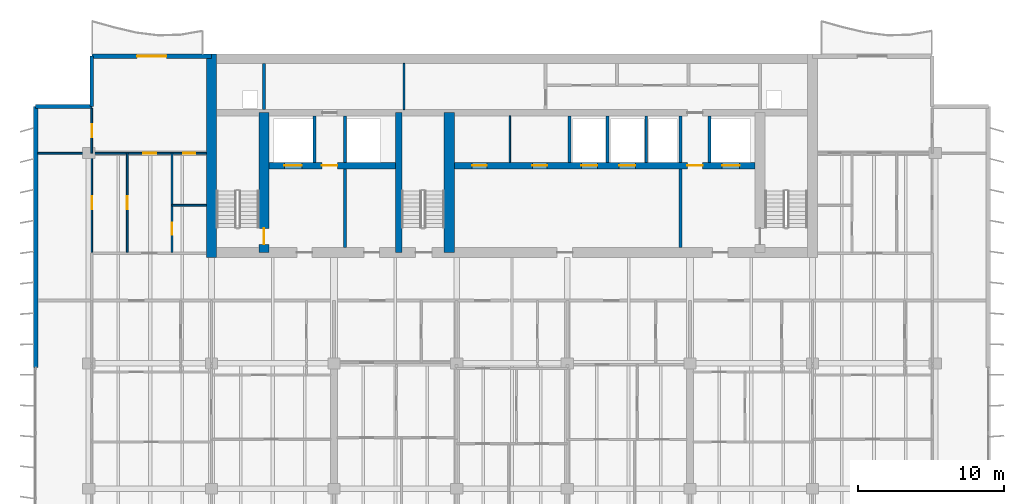
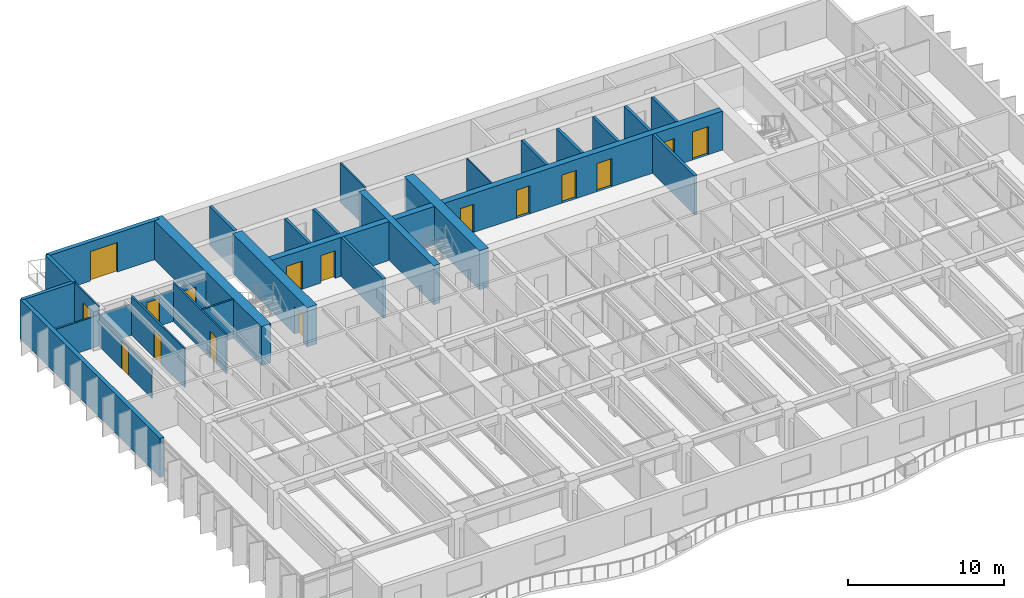
# One storey, part 13 of 19: 27 walls, 16 doors, 16 openings.
"""IFC4 building model written with IfcOpenShell, lengths in metres."""

from ifc_helpers import new_model, si_unit, direction, frame, frame_2d, origin, place, context, subcontext, project, spatial, rectangle, extrude, material, layer, layer_set, type_object, element, fill, save


model = new_model("IFC4")

# Units and contexts
model_context = context("Model", 3, precision=1e-05, world=origin(), true_north=direction((0.0, 1.0)))
body_context = subcontext(model_context, "Body", "Model", "MODEL_VIEW")
ifc_project = project(units=[si_unit("LENGTHUNIT", "METRE"), si_unit("AREAUNIT", "SQUARE_METRE"), si_unit("VOLUMEUNIT", "CUBIC_METRE"), si_unit("PLANEANGLEUNIT", "RADIAN"), si_unit("MASSUNIT", "GRAM", prefix="KILO")], contexts=[model_context])

# Site, building, storey
site_placement = place(None, origin())
site = spatial("IfcSite", under=ifc_project, at=site_placement, CompositionType="ELEMENT")
building_placement = place(site_placement, origin())
building = spatial("IfcBuilding", under=site, at=building_placement, Name="Caelmar Bay Residences", CompositionType="ELEMENT")
storey_placement = place(building_placement, frame((0.0, 0.0, 163.800048828125)))
storey = spatial("IfcBuildingStorey", under=building, at=storey_placement, Name="L45", CompositionType="ELEMENT", Elevation=163.800048828125)

# Wall
ifc_material_1 = material(Name="Concrete f'c 55 MPa (8,000 psi)", Category="concrete")
ifc_layer_1 = layer(ifc_material_1, 0.699951171875)
ifc_layer_set_1 = layer_set([ifc_layer_1], Name="Concrete f'c 55 MPa (8,000 psi)")
wall_type_1 = type_object("IfcWallType", Name="SW-COR-700", PredefinedType="SHEAR", material=ifc_layer_set_1)
wall_1_placement = place(storey_placement, frame((18.300048828125, 36.64990234375, 0.0), z_axis=(0.0, 0.0, 1.0), x_axis=(0.0, 1.0, 0.0)))
element("IfcWall", 1, at=wall_1_placement, inside=storey, type_object=wall_type_1, Name="L45 Rear Core West Shear Wall", PredefinedType="SHEAR", context=body_context, shape_type="SweptSolid", body=[
    extrude(rectangle(XDim=13.9501953125, YDim=0.699951171875, at=frame_2d((6.97509765625, 0.0))), origin(), (0.0, 0.0, 1.0), 3.050048828125),
])

# Wall, opening, door
wall_2_placement = place(storey_placement, frame((21.89990234375, 37.0, 0.0), z_axis=(0.0, 0.0, 1.0), x_axis=(0.0, 1.0, 0.0)))
wall_2 = element("IfcWall", 2, at=wall_2_placement, inside=storey, type_object=wall_type_1, Name="L45 Core Structural Web Wall ST1E", PredefinedType="SHEAR", context=body_context, shape_type="SweptSolid", body=[
    extrude(rectangle(XDim=9.574951171875, YDim=0.699951171875, at=frame_2d((4.78759765625, 0.0))), origin(), (0.0, 0.0, 1.0), 3.050048828125),
])
opening_1_placement = place(wall_2_placement, frame((0.550048828125, 0.0, 0.0)))
opening_1 = element("IfcOpeningElement", 3, at=opening_1_placement, cuts=wall_2, Name="Opening D-L45-107", PredefinedType="OPENING", context=body_context, shape_type="SweptSolid", body=[
    extrude(rectangle(XDim=1.10009765625, YDim=2.14990234375, at=frame_2d((0.550048828125, 1.074951171875))), frame((0.0, 0.35986328125, 0.0), z_axis=(0.0, -1.0, 0.0), x_axis=(1.0, 0.0, 0.0)), (0.0, 0.0, 1.0), 0.719970703125),
])
ifc_material_2 = material(Name="Fire-rated steel and walnut architectural door assembly", Category="steel")
ifc_layer_2 = layer(ifc_material_2, 0.050048828125)
ifc_layer_set_2 = layer_set([ifc_layer_2], Name="Fire-rated steel and walnut architectural door assembly")
door_type_1 = type_object("IfcDoorType", Name="D-STAIR-1100", OperationType="NOTDEFINED", PredefinedType="DOOR", material=ifc_layer_set_2)
door_1_placement = place(opening_1_placement, origin())
door_1 = element("IfcDoor", 4, at=door_1_placement, inside=storey, type_object=door_type_1, Name="L45 Firefighting Lobby West Door", OperationType="SINGLE_SWING_LEFT", OverallHeight=2.14990234375, OverallWidth=1.10009765625, PredefinedType="DOOR", context=body_context, shape_type="SweptSolid", body=[
    extrude(rectangle(XDim=1.10009765625, YDim=2.14990234375, at=frame_2d((0.550048828125, 1.074951171875))), frame((0.0, 0.02490234375, 0.0), z_axis=(0.0, -1.0, 0.0), x_axis=(1.0, 0.0, 0.0)), (0.0, 0.0, 1.0), 0.050048828125),
])
fill(opening_1, door_1)

# Walls
wall_3_placement = place(storey_placement, frame((34.60009765625, 37.0, 0.0), z_axis=(0.0, 0.0, 1.0), x_axis=(0.0, 1.0, 0.0)))
element("IfcWall", 5, at=wall_3_placement, inside=storey, type_object=wall_type_1, Name="L45 Core Structural Web Wall ST3E", PredefinedType="SHEAR", context=body_context, shape_type="SweptSolid", body=[
    extrude(rectangle(XDim=9.574951171875, YDim=0.699951171875, at=frame_2d((4.78759765625, 0.0))), origin(), (0.0, 0.0, 1.0), 3.050048828125),
])
ifc_material_3 = material(Name="Concrete f'c 70 MPa (10,000 psi)", Category="concrete")
ifc_layer_3 = layer(ifc_material_3, 0.449951171875)
ifc_layer_set_3 = layer_set([ifc_layer_3], Name="Concrete f'c 70 MPa (10,000 psi)")
wall_type_2 = type_object("IfcWallType", Name="SW-WEB-450", PredefinedType="SHEAR", material=ifc_layer_set_3)
wall_4_placement = place(storey_placement, frame((31.125, 37.0, 0.0), z_axis=(0.0, 0.0, 1.0), x_axis=(0.0, 1.0, 0.0)))
element("IfcWall", 6, at=wall_4_placement, inside=storey, type_object=wall_type_2, Name="L45 Core Structural Web Wall ST3W", PredefinedType="SHEAR", context=body_context, shape_type="SweptSolid", body=[
    extrude(rectangle(XDim=9.574951171875, YDim=0.449951171875, at=frame_2d((4.78759765625, 0.0))), origin(), (0.0, 0.0, 1.0), 3.050048828125),
])

# Wall, openings, doors
wall_5_placement = place(storey_placement, frame((22.25, 42.949951171875, 0.0), z_axis=(0.0, 0.0, 1.0), x_axis=(1.0, 0.0, 0.0)))
wall_5 = element("IfcWall", 7, at=wall_5_placement, inside=storey, type_object=wall_type_2, Name="L45 Core Structural Web Wall LFR", PredefinedType="SHEAR", context=body_context, shape_type="SweptSolid", body=[
    extrude(rectangle(XDim=33.300048828125, YDim=0.449951171875, at=frame_2d((16.64990234375, 0.0))), origin(), (0.0, 0.0, 1.0), 3.050048828125),
])
opening_2_placement = place(wall_5_placement, frame((1.050048828125, 0.0, 0.0)))
opening_2 = element("IfcOpeningElement", 8, at=opening_2_placement, cuts=wall_5, Name="Opening LD2", PredefinedType="OPENING", context=body_context, shape_type="SweptSolid", body=[
    extrude(rectangle(XDim=1.199951171875, YDim=2.199951171875, at=frame_2d((0.60009765625, 1.10009765625))), frame((0.0, 0.23486328125, 0.0), z_axis=(0.0, -1.0, 0.0), x_axis=(1.0, 0.0, 0.0)), (0.0, 0.0, 1.0), 0.469970703125),
])
opening_3_placement = place(wall_5_placement, frame((31.050048828125, 0.0, 0.0)))
opening_3 = element("IfcOpeningElement", 9, at=opening_3_placement, cuts=wall_5, Name="Opening LD2", PredefinedType="OPENING", context=body_context, shape_type="SweptSolid", body=[
    extrude(rectangle(XDim=1.199951171875, YDim=2.199951171875, at=frame_2d((0.60009765625, 1.10009765625))), frame((0.0, 0.23486328125, 0.0), z_axis=(0.0, -1.0, 0.0), x_axis=(1.0, 0.0, 0.0)), (0.0, 0.0, 1.0), 0.469970703125),
])
opening_4_placement = place(wall_5_placement, frame((21.39990234375, 0.0, 0.0)))
opening_4 = element("IfcOpeningElement", 10, at=opening_4_placement, cuts=wall_5, Name="Opening LD1", PredefinedType="OPENING", context=body_context, shape_type="SweptSolid", body=[
    extrude(rectangle(XDim=1.10009765625, YDim=2.199951171875, at=frame_2d((0.550048828125, 1.10009765625))), frame((0.0, 0.23486328125, 0.0), z_axis=(0.0, -1.0, 0.0), x_axis=(1.0, 0.0, 0.0)), (0.0, 0.0, 1.0), 0.469970703125),
])
opening_5_placement = place(wall_5_placement, frame((24.0, 0.0, 0.0)))
opening_5 = element("IfcOpeningElement", 11, at=opening_5_placement, cuts=wall_5, Name="Opening LD1", PredefinedType="OPENING", context=body_context, shape_type="SweptSolid", body=[
    extrude(rectangle(XDim=1.10009765625, YDim=2.199951171875, at=frame_2d((0.550048828125, 1.10009765625))), frame((0.0, 0.23486328125, 0.0), z_axis=(0.0, -1.0, 0.0), x_axis=(1.0, 0.0, 0.0)), (0.0, 0.0, 1.0), 0.469970703125),
])
opening_6_placement = place(wall_5_placement, frame((3.625, 0.0, 0.0)))
opening_6 = element("IfcOpeningElement", 12, at=opening_6_placement, cuts=wall_5, Name="Opening D-L45-108", PredefinedType="OPENING", context=body_context, shape_type="SweptSolid", body=[
    extrude(rectangle(XDim=1.050048828125, YDim=2.14990234375, at=frame_2d((0.52490234375, 1.074951171875))), frame((0.0, 0.23486328125, 0.0), z_axis=(0.0, -1.0, 0.0), x_axis=(1.0, 0.0, 0.0)), (0.0, 0.0, 1.0), 0.469970703125),
])
opening_7_placement = place(wall_5_placement, frame((28.675048828125, 0.0, 0.0)))
opening_7 = element("IfcOpeningElement", 13, at=opening_7_placement, cuts=wall_5, Name="Opening D-L45-111", PredefinedType="OPENING", context=body_context, shape_type="SweptSolid", body=[
    extrude(rectangle(XDim=1.050048828125, YDim=2.14990234375, at=frame_2d((0.52490234375, 1.074951171875))), frame((0.0, 0.23486328125, 0.0), z_axis=(0.0, -1.0, 0.0), x_axis=(1.0, 0.0, 0.0)), (0.0, 0.0, 1.0), 0.469970703125),
])
opening_8_placement = place(wall_5_placement, frame((13.925048828125, 0.0, 0.0)))
opening_8 = element("IfcOpeningElement", 14, at=opening_8_placement, cuts=wall_5, Name="Opening D-L45-114", PredefinedType="OPENING", context=body_context, shape_type="SweptSolid", body=[
    extrude(rectangle(XDim=1.0, YDim=2.199951171875, at=frame_2d((0.5, 1.10009765625))), frame((0.0, 0.23486328125, 0.0), z_axis=(0.0, -1.0, 0.0), x_axis=(1.0, 0.0, 0.0)), (0.0, 0.0, 1.0), 0.469970703125),
])
opening_9_placement = place(wall_5_placement, frame((18.050048828125, 0.0, 0.0)))
opening_9 = element("IfcOpeningElement", 15, at=opening_9_placement, cuts=wall_5, Name="Opening D-L45-115", PredefinedType="OPENING", context=body_context, shape_type="SweptSolid", body=[
    extrude(rectangle(XDim=1.0, YDim=2.199951171875, at=frame_2d((0.5, 1.10009765625))), frame((0.0, 0.23486328125, 0.0), z_axis=(0.0, -1.0, 0.0), x_axis=(1.0, 0.0, 0.0)), (0.0, 0.0, 1.0), 0.469970703125),
])
ifc_layer_4 = layer(ifc_material_2, 0.050048828125)
ifc_layer_set_4 = layer_set([ifc_layer_4], Name="Fire-rated steel and walnut architectural door assembly")
door_type_2 = type_object("IfcDoorType", Name="D-FSAE-1050", OperationType="NOTDEFINED", PredefinedType="DOOR", material=ifc_layer_set_4)
door_2_placement = place(opening_6_placement, origin())
door_2 = element("IfcDoor", 16, at=door_2_placement, inside=storey, type_object=door_type_2, Name="L45 Firefighting Lobby West Door", OperationType="SINGLE_SWING_RIGHT", OverallHeight=2.14990234375, OverallWidth=1.050048828125, PredefinedType="DOOR", context=body_context, shape_type="SweptSolid", body=[
    extrude(rectangle(XDim=1.050048828125, YDim=2.14990234375, at=frame_2d((0.52490234375, 1.074951171875))), frame((0.0, 0.02490234375, 0.0), z_axis=(0.0, -1.0, 0.0), x_axis=(1.0, 0.0, 0.0)), (0.0, 0.0, 1.0), 0.050048828125),
])
fill(opening_6, door_2)
door_3_placement = place(opening_7_placement, origin())
door_3 = element("IfcDoor", 17, at=door_3_placement, inside=storey, type_object=door_type_2, Name="L45 Firefighting Lobby East Door", OperationType="SINGLE_SWING_LEFT", OverallHeight=2.14990234375, OverallWidth=1.050048828125, PredefinedType="DOOR", context=body_context, shape_type="SweptSolid", body=[
    extrude(rectangle(XDim=1.050048828125, YDim=2.14990234375, at=frame_2d((0.52490234375, 1.074951171875))), frame((0.0, 0.02490234375, 0.0), z_axis=(0.0, -1.0, 0.0), x_axis=(1.0, 0.0, 0.0)), (0.0, 0.0, 1.0), 0.050048828125),
])
fill(opening_7, door_3)
ifc_material_4 = material(Name="Brushed bronze stainless-steel fire-rated lift landing doors", Category="steel")
ifc_layer_5 = layer(ifc_material_4, 0.050048828125)
ifc_layer_set_5 = layer_set([ifc_layer_5], Name="Brushed bronze stainless-steel fire-rated lift landing doors")
door_type_3 = type_object("IfcDoorType", Name="D-LND-1100", OperationType="DOUBLE_DOOR_SLIDING", PredefinedType="DOOR", material=ifc_layer_set_5)
door_4_placement = place(opening_4_placement, origin())
door_4 = element("IfcDoor", 18, at=door_4_placement, inside=storey, type_object=door_type_3, Name="L45 LP4 Sliding Landing Door", OperationType="DOUBLE_DOOR_SLIDING", OverallHeight=2.199951171875, OverallWidth=1.10009765625, PredefinedType="DOOR", context=body_context, shape_type="SweptSolid", body=[
    extrude(rectangle(XDim=1.10009765625, YDim=2.199951171875, at=frame_2d((0.550048828125, 1.10009765625))), frame((0.0, 0.02490234375, 0.0), z_axis=(0.0, -1.0, 0.0), x_axis=(1.0, 0.0, 0.0)), (0.0, 0.0, 1.0), 0.050048828125),
])
fill(opening_4, door_4)
door_5_placement = place(opening_5_placement, origin())
door_5 = element("IfcDoor", 19, at=door_5_placement, inside=storey, type_object=door_type_3, Name="L45 LP5 Sliding Landing Door", OperationType="DOUBLE_DOOR_SLIDING", OverallHeight=2.199951171875, OverallWidth=1.10009765625, PredefinedType="DOOR", context=body_context, shape_type="SweptSolid", body=[
    extrude(rectangle(XDim=1.10009765625, YDim=2.199951171875, at=frame_2d((0.550048828125, 1.10009765625))), frame((0.0, 0.02490234375, 0.0), z_axis=(0.0, -1.0, 0.0), x_axis=(1.0, 0.0, 0.0)), (0.0, 0.0, 1.0), 0.050048828125),
])
fill(opening_5, door_5)
ifc_material_5 = material(Name="Brushed stainless-steel FSAE sliding landing door", Category="steel")
ifc_layer_6 = layer(ifc_material_5, 0.050048828125)
ifc_layer_set_6 = layer_set([ifc_layer_6], Name="Brushed stainless-steel FSAE sliding landing door")
door_type_4 = type_object("IfcDoorType", Name="D-LND-1200", OperationType="DOUBLE_DOOR_SLIDING", PredefinedType="DOOR", material=ifc_layer_set_6)
door_6_placement = place(opening_2_placement, origin())
door_6 = element("IfcDoor", 20, at=door_6_placement, inside=storey, type_object=door_type_4, Name="L45 LF1 Sliding Landing Door", OperationType="DOUBLE_DOOR_SLIDING", OverallHeight=2.199951171875, OverallWidth=1.199951171875, PredefinedType="DOOR", context=body_context, shape_type="SweptSolid", body=[
    extrude(rectangle(XDim=1.199951171875, YDim=2.199951171875, at=frame_2d((0.60009765625, 1.10009765625))), frame((0.0, 0.02490234375, 0.0), z_axis=(0.0, -1.0, 0.0), x_axis=(1.0, 0.0, 0.0)), (0.0, 0.0, 1.0), 0.050048828125),
])
fill(opening_2, door_6)
door_7_placement = place(opening_3_placement, origin())
door_7 = element("IfcDoor", 21, at=door_7_placement, inside=storey, type_object=door_type_4, Name="L45 LF2 Sliding Landing Door", OperationType="DOUBLE_DOOR_SLIDING", OverallHeight=2.199951171875, OverallWidth=1.199951171875, PredefinedType="DOOR", context=body_context, shape_type="SweptSolid", body=[
    extrude(rectangle(XDim=1.199951171875, YDim=2.199951171875, at=frame_2d((0.60009765625, 1.10009765625))), frame((0.0, 0.02490234375, 0.0), z_axis=(0.0, -1.0, 0.0), x_axis=(1.0, 0.0, 0.0)), (0.0, 0.0, 1.0), 0.050048828125),
])
fill(opening_3, door_7)
ifc_layer_7 = layer(ifc_material_2, 0.050048828125)
ifc_layer_set_7 = layer_set([ifc_layer_7], Name="Fire-rated steel and walnut architectural door assembly")
door_type_5 = type_object("IfcDoorType", Name="D-UNIT-1000", OperationType="NOTDEFINED", PredefinedType="DOOR", material=ifc_layer_set_7)
door_8_placement = place(opening_8_placement, origin())
door_8 = element("IfcDoor", 22, at=door_8_placement, inside=storey, type_object=door_type_5, Name="L45 Residents Study Room Door", OperationType="SINGLE_SWING_RIGHT", OverallHeight=2.199951171875, OverallWidth=1.0, PredefinedType="DOOR", context=body_context, shape_type="SweptSolid", body=[
    extrude(rectangle(XDim=1.0, YDim=2.199951171875, at=frame_2d((0.5, 1.10009765625))), frame((0.0, 0.02490234375, 0.0), z_axis=(0.0, -1.0, 0.0), x_axis=(1.0, 0.0, 0.0)), (0.0, 0.0, 1.0), 0.050048828125),
])
fill(opening_8, door_8)
door_9_placement = place(opening_9_placement, origin())
door_9 = element("IfcDoor", 23, at=door_9_placement, inside=storey, type_object=door_type_5, Name="L45 Wine Tasting Room Door", OperationType="SINGLE_SWING_LEFT", OverallHeight=2.199951171875, OverallWidth=1.0, PredefinedType="DOOR", context=body_context, shape_type="SweptSolid", body=[
    extrude(rectangle(XDim=1.0, YDim=2.199951171875, at=frame_2d((0.5, 1.10009765625))), frame((0.0, 0.02490234375, 0.0), z_axis=(0.0, -1.0, 0.0), x_axis=(1.0, 0.0, 0.0)), (0.0, 0.0, 1.0), 0.050048828125),
])
fill(opening_9, door_9)

# Walls
ifc_material_6 = material(Name="Precast concrete f'c 40 MPa (6,000 psi)", Category="concrete")
ifc_layer_8 = layer(ifc_material_6, 0.25)
ifc_layer_set_8 = layer_set([ifc_layer_8], Name="Precast concrete f'c 40 MPa (6,000 psi)")
wall_type_3 = type_object("IfcWallType", Name="W-EXT-250", PredefinedType="ELEMENTEDWALL", material=ifc_layer_set_8)
wall_6_placement = place(storey_placement, frame((6.25, 47.0, 0.0), z_axis=(0.0, 0.0, 1.0), x_axis=(1.0, 0.0, 0.0)))
element("IfcWall", 24, at=wall_6_placement, inside=storey, type_object=wall_type_3, Name="L45 NNW-H Notch Wall", PredefinedType="ELEMENTEDWALL", context=body_context, shape_type="SweptSolid", body=[
    extrude(rectangle(XDim=3.85009765625, YDim=0.25, at=frame_2d((1.925048828125, 0.0))), origin(), (0.0, 0.0, 1.0), 3.050048828125),
])
wall_7_placement = place(storey_placement, frame((10.10009765625, 47.0, 0.0), z_axis=(0.0, 0.0, 1.0), x_axis=(0.0, 1.0, 0.0)))
element("IfcWall", 25, at=wall_7_placement, inside=storey, type_object=wall_type_3, Name="L45 NNW-V Notch Wall", PredefinedType="ELEMENTEDWALL", context=body_context, shape_type="SweptSolid", body=[
    extrude(rectangle(XDim=3.449951171875, YDim=0.25, at=frame_2d((1.72509765625, 0.0))), origin(), (0.0, 0.0, 1.0), 3.050048828125),
])
ifc_layer_9 = layer(ifc_material_6, 0.300048828125)
ifc_layer_set_9 = layer_set([ifc_layer_9], Name="Precast concrete f'c 40 MPa (6,000 psi)")
wall_type_4 = type_object("IfcWallType", Name="W-EXT-300", PredefinedType="STANDARD", material=ifc_layer_set_9)
wall_8_placement = place(storey_placement, frame((6.25, 29.10009765625, 0.0), z_axis=(0.0, 0.0, 1.0), x_axis=(0.0, 1.0, 0.0)))
element("IfcWall", 26, at=wall_8_placement, inside=storey, type_object=wall_type_4, Name="L45 West Rear Exterior Wall", PredefinedType="STANDARD", context=body_context, shape_type="SweptSolid", body=[
    extrude(rectangle(XDim=17.89990234375, YDim=0.300048828125, at=frame_2d((8.949951171875, 0.0))), origin(), (0.0, 0.0, 1.0), 3.050048828125),
])

# Wall, opening, door
wall_9_placement = place(storey_placement, frame((10.10009765625, 50.449951171875, 0.0), z_axis=(0.0, 0.0, 1.0), x_axis=(1.0, 0.0, 0.0)))
wall_9 = element("IfcWall", 27, at=wall_9_placement, inside=storey, type_object=wall_type_4, Name="L45 North-West Wing Exterior Wall", PredefinedType="STANDARD", context=body_context, shape_type="SweptSolid", body=[
    extrude(rectangle(XDim=8.199951171875, YDim=0.300048828125, at=frame_2d((4.10009765625, 0.0))), origin(), (0.0, 0.0, 1.0), 3.050048828125),
])
opening_10_placement = place(wall_9_placement, frame((3.10009765625, 0.0, 0.0)))
opening_10 = element("IfcOpeningElement", 28, at=opening_10_placement, cuts=wall_9, Name="Opening L45-BDNW", PredefinedType="OPENING", context=body_context, shape_type="SweptSolid", body=[
    extrude(rectangle(XDim=2.0, YDim=2.300048828125, at=frame_2d((1.0, 1.14990234375))), frame((0.0, 0.159912109375, 0.0), z_axis=(0.0, -1.0, 0.0), x_axis=(1.0, 0.0, 0.0)), (0.0, 0.0, 1.0), 0.320068359375),
])
ifc_material_7 = material(Name="Anodised bronze thermally broken sliding glass door", Category="glass")
ifc_layer_10 = layer(ifc_material_7, 0.050048828125)
ifc_layer_set_10 = layer_set([ifc_layer_10], Name="Anodised bronze thermally broken sliding glass door")
door_type_6 = type_object("IfcDoorType", Name="D-BAL-2000", OperationType="DOUBLE_DOOR_SLIDING", PredefinedType="DOOR", material=ifc_layer_set_10)
door_10_placement = place(opening_10_placement, origin())
door_10 = element("IfcDoor", 29, at=door_10_placement, inside=storey, type_object=door_type_6, Name="L45 North-West Balcony Door", OperationType="DOUBLE_DOOR_SLIDING", OverallHeight=2.300048828125, OverallWidth=2.0, PredefinedType="DOOR", context=body_context, shape_type="SweptSolid", body=[
    extrude(rectangle(XDim=2.0, YDim=2.300048828125, at=frame_2d((1.0, 1.14990234375))), frame((0.0, 0.02490234375, 0.0), z_axis=(0.0, -1.0, 0.0), x_axis=(1.0, 0.0, 0.0)), (0.0, 0.0, 1.0), 0.050048828125),
])
fill(opening_10, door_10)

# Walls
ifc_material_8 = material(Name="Fire-rated masonry and gypsum shaftliner assembly 200 mm", Category="masonry")
ifc_layer_11 = layer(ifc_material_8, 0.199951171875)
ifc_layer_set_11 = layer_set([ifc_layer_11], Name="Fire-rated masonry and gypsum shaftliner assembly 200 mm")
wall_type_5 = type_object("IfcWallType", Name="W-FSAE-200", PredefinedType="PARTITIONING", material=ifc_layer_set_11)
wall_10_placement = place(storey_placement, frame((21.89990234375, 46.794921875, 0.0), z_axis=(0.0, 0.0, 1.0), x_axis=(0.0, 1.0, 0.0)))
element("IfcWall", 30, at=wall_10_placement, inside=storey, type_object=wall_type_5, Name="L45 Partition Wall V018", PredefinedType="PARTITIONING", context=body_context, shape_type="SweptSolid", body=[
    extrude(rectangle(XDim=3.16015625, YDim=0.199951171875, at=frame_2d((1.580078125, 0.0))), origin(), (0.0, 0.0, 1.0), 3.050048828125),
])
wall_11_placement = place(storey_placement, frame((25.35009765625, 43.169921875, 0.0), z_axis=(0.0, 0.0, 1.0), x_axis=(0.0, 1.0, 0.0)))
element("IfcWall", 31, at=wall_11_placement, inside=storey, type_object=wall_type_5, Name="L45 Partition Wall V022", PredefinedType="PARTITIONING", context=body_context, shape_type="SweptSolid", body=[
    extrude(rectangle(XDim=3.18505859375, YDim=0.199951171875, at=frame_2d((1.592529296875, 0.0))), origin(), (0.0, 0.0, 1.0), 3.050048828125),
])
wall_12_placement = place(storey_placement, frame((27.449951171875, 37.344970703125, 0.0), z_axis=(0.0, 0.0, 1.0), x_axis=(0.0, 1.0, 0.0)))
element("IfcWall", 32, at=wall_12_placement, inside=storey, type_object=wall_type_5, Name="L45 Partition Wall V026", PredefinedType="PARTITIONING", context=body_context, shape_type="SweptSolid", body=[
    extrude(rectangle(XDim=5.385009765625, YDim=0.199951171875, at=frame_2d((2.6923828125, 0.0))), origin(), (0.0, 0.0, 1.0), 3.050048828125),
])
for number, where, z_axis, x_axis, name in (
    (33, (27.449951171875, 43.169921875, 0.0), (0.0, 0.0, 1.0), (0.0, 1.0, 0.0), "L45 Partition Wall V027"),
    (34, (42.85009765625, 43.169921875, 0.0), (0.0, 0.0, 1.0), (0.0, 1.0, 0.0), "L45 Partition Wall V053"),
    (35, (45.449951171875, 43.169921875, 0.0), (0.0, 0.0, 1.0), (0.0, 1.0, 0.0), "L45 Partition Wall V054"),
    (36, (48.10009765625, 43.169921875, 0.0), (0.0, 0.0, 1.0), (0.0, 1.0, 0.0), "L45 Partition Wall V060"),
):
    element("IfcWall", number, at=place(storey_placement, frame(where, z_axis=z_axis, x_axis=x_axis)), inside=storey, type_object=wall_type_5, Name=name, PredefinedType="PARTITIONING", context=body_context, shape_type="SweptSolid", body=[
        extrude(rectangle(XDim=3.18505859375, YDim=0.199951171875, at=frame_2d((1.592529296875, 0.0))), origin(), (0.0, 0.0, 1.0), 3.050048828125),
    ])
wall_13_placement = place(storey_placement, frame((50.449951171875, 37.344970703125, 0.0), z_axis=(0.0, 0.0, 1.0), x_axis=(0.0, 1.0, 0.0)))
element("IfcWall", 37, at=wall_13_placement, inside=storey, type_object=wall_type_5, Name="L45 Partition Wall V062", PredefinedType="PARTITIONING", context=body_context, shape_type="SweptSolid", body=[
    extrude(rectangle(XDim=5.385009765625, YDim=0.199951171875, at=frame_2d((2.6923828125, 0.0))), origin(), (0.0, 0.0, 1.0), 3.050048828125),
])
for number, where, z_axis, x_axis, name in (
    (38, (50.449951171875, 43.169921875, 0.0), (0.0, 0.0, 1.0), (0.0, 1.0, 0.0), "L45 Partition Wall V063"),
    (39, (52.449951171875, 43.169921875, 0.0), (0.0, 0.0, 1.0), (0.0, 1.0, 0.0), "L45 Partition Wall V068"),
):
    element("IfcWall", number, at=place(storey_placement, frame(where, z_axis=z_axis, x_axis=x_axis)), inside=storey, type_object=wall_type_5, Name=name, PredefinedType="PARTITIONING", context=body_context, shape_type="SweptSolid", body=[
        extrude(rectangle(XDim=3.18505859375, YDim=0.199951171875, at=frame_2d((1.592529296875, 0.0))), origin(), (0.0, 0.0, 1.0), 3.050048828125),
    ])

# Wall, opening, door
ifc_material_9 = material(Name="Anodised bronze framed acoustic sliding study partition 100 mm")
ifc_layer_12 = layer(ifc_material_9, 0.10009765625)
ifc_layer_set_12 = layer_set([ifc_layer_12], Name="Anodised bronze framed acoustic sliding study partition 100 mm")
wall_type_6 = type_object("IfcWallType", Name="W-MOV-100", PredefinedType="MOVABLE", material=ifc_layer_set_12)
wall_14_placement = place(storey_placement, frame((10.10009765625, 37.0, 0.0), z_axis=(0.0, 0.0, 1.0), x_axis=(0.0, 1.0, 0.0)))
wall_14 = element("IfcWall", 40, at=wall_14_placement, inside=storey, type_object=wall_type_6, Name="L45 Partition Wall V006", PredefinedType="MOVABLE", context=body_context, shape_type="SweptSolid", body=[
    extrude(rectangle(XDim=6.800048828125, YDim=0.10009765625, at=frame_2d((3.39990234375, 0.0))), origin(), (0.0, 0.0, 1.0), 2.262939453125),
])
opening_11_placement = place(wall_14_placement, frame((2.949951171875, 0.0, 0.0)))
opening_11 = element("IfcOpeningElement", 41, at=opening_11_placement, cuts=wall_14, Name="Opening D-L45-169", PredefinedType="OPENING", context=body_context, shape_type="SweptSolid", body=[
    extrude(rectangle(XDim=0.89990234375, YDim=2.14990234375, at=frame_2d((0.449951171875, 1.074951171875))), frame((0.0, 0.06005859375, 0.0), z_axis=(0.0, -1.0, 0.0), x_axis=(1.0, 0.0, 0.0)), (0.0, 0.0, 1.0), 0.1201171875),
])
ifc_material_10 = material(Name="Solid walnut timber interior door leaf and frame", Category="wood")
ifc_layer_13 = layer(ifc_material_10, 0.050048828125)
ifc_layer_set_13 = layer_set([ifc_layer_13], Name="Solid walnut timber interior door leaf and frame")
door_type_7 = type_object("IfcDoorType", Name="D-ROOM-900", OperationType="NOTDEFINED", PredefinedType="DOOR", material=ifc_layer_set_13)
door_11_placement = place(opening_11_placement, origin())
door_11 = element("IfcDoor", 42, at=door_11_placement, inside=storey, type_object=door_type_7, Name="L45 Residence WA Sun Study Door", OperationType="SINGLE_SWING_LEFT", OverallHeight=2.14990234375, OverallWidth=0.89990234375, PredefinedType="DOOR", context=body_context, shape_type="SweptSolid", body=[
    extrude(rectangle(XDim=0.89990234375, YDim=2.14990234375, at=frame_2d((0.449951171875, 1.074951171875))), frame((0.0, 0.02490234375, 0.0), z_axis=(0.0, -1.0, 0.0), x_axis=(1.0, 0.0, 0.0)), (0.0, 0.0, 1.0), 0.050048828125),
])
fill(opening_11, door_11)

# Wall
wall_15_placement = place(storey_placement, frame((38.75, 43.169921875, 0.0), z_axis=(0.0, 0.0, 1.0), x_axis=(0.0, 1.0, 0.0)))
element("IfcWall", 43, at=wall_15_placement, inside=storey, type_object=wall_type_6, Name="L45 Partition Wall V042", PredefinedType="MOVABLE", context=body_context, shape_type="SweptSolid", body=[
    extrude(rectangle(XDim=3.18505859375, YDim=0.10009765625, at=frame_2d((1.592529296875, 0.0))), origin(), (0.0, 0.0, 1.0), 3.050048828125),
])

# Wall, opening, door
ifc_material_11 = material(Name="Acoustic metal-stud gypsum partition 120 mm")
ifc_layer_14 = layer(ifc_material_11, 0.1201171875)
ifc_layer_set_14 = layer_set([ifc_layer_14], Name="Acoustic metal-stud gypsum partition 120 mm")
wall_type_7 = type_object("IfcWallType", Name="W-PRT-120", PredefinedType="PARTITIONING", material=ifc_layer_set_14)
wall_16_placement = place(storey_placement, frame((10.10009765625, 43.804931640625, 0.0), z_axis=(0.0, 0.0, 1.0), x_axis=(0.0, 1.0, 0.0)))
wall_16 = element("IfcWall", 44, at=wall_16_placement, inside=storey, type_object=wall_type_7, Name="L45 Partition Wall V007", PredefinedType="PARTITIONING", context=body_context, shape_type="SweptSolid", body=[
    extrude(rectangle(XDim=3.074951171875, YDim=0.1201171875, at=frame_2d((1.53759765625, 0.0))), origin(), (0.0, 0.0, 1.0), 3.050048828125),
])
opening_12_placement = place(wall_16_placement, frame((1.08740234375, 0.0, 0.0)))
opening_12 = element("IfcOpeningElement", 45, at=opening_12_placement, cuts=wall_16, Name="Opening D-L45-170", PredefinedType="OPENING", context=body_context, shape_type="SweptSolid", body=[
    extrude(rectangle(XDim=0.89990234375, YDim=2.14990234375, at=frame_2d((0.449951171875, 1.074951171875))), frame((0.0, 0.070068359375, 0.0), z_axis=(0.0, -1.0, 0.0), x_axis=(1.0, 0.0, 0.0)), (0.0, 0.0, 1.0), 0.14013671875),
])
door_12_placement = place(opening_12_placement, origin())
door_12 = element("IfcDoor", 46, at=door_12_placement, inside=storey, type_object=door_type_7, Name="L45 Residence WA North Sitting Alcove Door", OperationType="SINGLE_SWING_RIGHT", OverallHeight=2.14990234375, OverallWidth=0.89990234375, PredefinedType="DOOR", context=body_context, shape_type="SweptSolid", body=[
    extrude(rectangle(XDim=0.89990234375, YDim=2.14990234375, at=frame_2d((0.449951171875, 1.074951171875))), frame((0.0, 0.02490234375, 0.0), z_axis=(0.0, -1.0, 0.0), x_axis=(1.0, 0.0, 0.0)), (0.0, 0.0, 1.0), 0.050048828125),
])
fill(opening_12, door_12)

wall_17_placement = place(storey_placement, frame((12.52001953125, 37.0, 0.0), z_axis=(0.0, 0.0, 1.0), x_axis=(0.0, 1.0, 0.0)))
wall_17 = element("IfcWall", 47, at=wall_17_placement, inside=storey, type_object=wall_type_7, Name="L45 Partition Wall V008", PredefinedType="PARTITIONING", context=body_context, shape_type="SweptSolid", body=[
    extrude(rectangle(XDim=6.800048828125, YDim=0.1201171875, at=frame_2d((3.39990234375, 0.0))), origin(), (0.0, 0.0, 1.0), 3.050048828125),
])
opening_13_placement = place(wall_17_placement, frame((2.949951171875, 0.0, 0.0)))
opening_13 = element("IfcOpeningElement", 48, at=opening_13_placement, cuts=wall_17, Name="Opening D-L45-164", PredefinedType="OPENING", context=body_context, shape_type="SweptSolid", body=[
    extrude(rectangle(XDim=0.89990234375, YDim=2.14990234375, at=frame_2d((0.449951171875, 1.074951171875))), frame((0.0, 0.070068359375, 0.0), z_axis=(0.0, -1.0, 0.0), x_axis=(1.0, 0.0, 0.0)), (0.0, 0.0, 1.0), 0.14013671875),
])
door_13_placement = place(opening_13_placement, origin())
door_13 = element("IfcDoor", 49, at=door_13_placement, inside=storey, type_object=door_type_7, Name="L45 Residence WA Dining Room Door", OperationType="SINGLE_SWING_RIGHT", OverallHeight=2.14990234375, OverallWidth=0.89990234375, PredefinedType="DOOR", context=body_context, shape_type="SweptSolid", body=[
    extrude(rectangle(XDim=0.89990234375, YDim=2.14990234375, at=frame_2d((0.449951171875, 1.074951171875))), frame((0.0, 0.02490234375, 0.0), z_axis=(0.0, -1.0, 0.0), x_axis=(1.0, 0.0, 0.0)), (0.0, 0.0, 1.0), 0.050048828125),
])
fill(opening_13, door_13)

wall_18_placement = place(storey_placement, frame((15.60009765625, 37.0, 0.0), z_axis=(0.0, 0.0, 1.0), x_axis=(0.0, 1.0, 0.0)))
wall_18 = element("IfcWall", 50, at=wall_18_placement, inside=storey, type_object=wall_type_7, Name="L45 Partition Wall V009", PredefinedType="PARTITIONING", context=body_context, shape_type="SweptSolid", body=[
    extrude(rectangle(XDim=6.800048828125, YDim=0.1201171875, at=frame_2d((3.39990234375, 0.0))), origin(), (0.0, 0.0, 1.0), 3.050048828125),
])
opening_14_placement = place(wall_18_placement, frame((1.194091796875, 0.0, 0.0)))
opening_14 = element("IfcOpeningElement", 51, at=opening_14_placement, cuts=wall_18, Name="Opening D-L45-167", PredefinedType="OPENING", context=body_context, shape_type="SweptSolid", body=[
    extrude(rectangle(XDim=0.85009765625, YDim=2.10009765625, at=frame_2d((0.425048828125, 1.050048828125))), frame((0.0, 0.070068359375, 0.0), z_axis=(0.0, -1.0, 0.0), x_axis=(1.0, 0.0, 0.0)), (0.0, 0.0, 1.0), 0.14013671875),
])
ifc_layer_15 = layer(ifc_material_10, 0.050048828125)
ifc_layer_set_15 = layer_set([ifc_layer_15], Name="Solid walnut timber interior door leaf and frame")
door_type_8 = type_object("IfcDoorType", Name="D-BATH-850", OperationType="NOTDEFINED", PredefinedType="DOOR", material=ifc_layer_set_15)
door_14_placement = place(opening_14_placement, origin())
door_14 = element("IfcDoor", 52, at=door_14_placement, inside=storey, type_object=door_type_8, Name="L45 Residence WA Walk-In Closet Door", OperationType="SINGLE_SWING_LEFT", OverallHeight=2.10009765625, OverallWidth=0.85009765625, PredefinedType="DOOR", context=body_context, shape_type="SweptSolid", body=[
    extrude(rectangle(XDim=0.85009765625, YDim=2.10009765625, at=frame_2d((0.425048828125, 1.050048828125))), frame((0.0, 0.02490234375, 0.0), z_axis=(0.0, -1.0, 0.0), x_axis=(1.0, 0.0, 0.0)), (0.0, 0.0, 1.0), 0.050048828125),
])
fill(opening_14, door_14)

# Walls
wall_19_placement = place(storey_placement, frame((31.5, 46.794921875, 0.0), z_axis=(0.0, 0.0, 1.0), x_axis=(0.0, 1.0, 0.0)))
element("IfcWall", 53, at=wall_19_placement, inside=storey, type_object=wall_type_7, Name="L45 Partition Wall V033", PredefinedType="PARTITIONING", context=body_context, shape_type="SweptSolid", body=[
    extrude(rectangle(XDim=3.16015625, YDim=0.1201171875, at=frame_2d((1.580078125, 0.0))), origin(), (0.0, 0.0, 1.0), 3.050048828125),
])
wall_20_placement = place(storey_placement, frame((15.60009765625, 40.238037109375, 0.0), z_axis=(0.0, 0.0, 1.0), x_axis=(1.0, 0.0, 0.0)))
element("IfcWall", 54, at=wall_20_placement, inside=storey, type_object=wall_type_7, Name="L45 Partition Wall H121", PredefinedType="PARTITIONING", context=body_context, shape_type="SweptSolid", body=[
    extrude(rectangle(XDim=2.35498046875, YDim=0.1201171875, at=frame_2d((1.177490234375, 0.0))), origin(), (0.0, 0.0, 1.0), 3.050048828125),
])

# Wall, openings, doors
wall_21_placement = place(storey_placement, frame((6.39501953125, 43.800048828125, 0.0), z_axis=(0.0, 0.0, 1.0), x_axis=(1.0, 0.0, 0.0)))
wall_21 = element("IfcWall", 55, at=wall_21_placement, inside=storey, type_object=wall_type_7, Name="L45 Partition Wall H123", PredefinedType="PARTITIONING", context=body_context, shape_type="SweptSolid", body=[
    extrude(rectangle(XDim=11.56005859375, YDim=0.1201171875, at=frame_2d((5.780029296875, 0.0))), origin(), (0.0, 0.0, 1.0), 2.41796875),
])
opening_15_placement = place(wall_21_placement, frame((7.215087890625, 0.0, 0.0)))
opening_15 = element("IfcOpeningElement", 56, at=opening_15_placement, cuts=wall_21, Name="Opening D-L45-166", PredefinedType="OPENING", context=body_context, shape_type="SweptSolid", body=[
    extrude(rectangle(XDim=0.89990234375, YDim=2.14990234375, at=frame_2d((0.449951171875, 1.074951171875))), frame((0.0, 0.070068359375, 0.0), z_axis=(0.0, -1.0, 0.0), x_axis=(1.0, 0.0, 0.0)), (0.0, 0.0, 1.0), 0.14013671875),
])
opening_16_placement = place(wall_21_placement, frame((9.95751953125, 0.0, 0.0)))
opening_16 = element("IfcOpeningElement", 57, at=opening_16_placement, cuts=wall_21, Name="Opening D-L45-168", PredefinedType="OPENING", context=body_context, shape_type="SweptSolid", body=[
    extrude(rectangle(XDim=0.85009765625, YDim=2.10009765625, at=frame_2d((0.425048828125, 1.050048828125))), frame((0.0, 0.070068359375, 0.0), z_axis=(0.0, -1.0, 0.0), x_axis=(1.0, 0.0, 0.0)), (0.0, 0.0, 1.0), 0.14013671875),
])
door_15_placement = place(opening_16_placement, origin())
door_15 = element("IfcDoor", 58, at=door_15_placement, inside=storey, type_object=door_type_8, Name="L45 Residence WA Bathroom Door", OperationType="SINGLE_SWING_RIGHT", OverallHeight=2.10009765625, OverallWidth=0.85009765625, PredefinedType="DOOR", context=body_context, shape_type="SweptSolid", body=[
    extrude(rectangle(XDim=0.85009765625, YDim=2.10009765625, at=frame_2d((0.425048828125, 1.050048828125))), frame((0.0, 0.02490234375, 0.0), z_axis=(0.0, -1.0, 0.0), x_axis=(1.0, 0.0, 0.0)), (0.0, 0.0, 1.0), 0.050048828125),
])
fill(opening_16, door_15)
door_16_placement = place(opening_15_placement, origin())
door_16 = element("IfcDoor", 59, at=door_16_placement, inside=storey, type_object=door_type_7, Name="L45 Residence WA Studio Living and Sleeping Room Door", OperationType="SINGLE_SWING_RIGHT", OverallHeight=2.14990234375, OverallWidth=0.89990234375, PredefinedType="DOOR", context=body_context, shape_type="SweptSolid", body=[
    extrude(rectangle(XDim=0.89990234375, YDim=2.14990234375, at=frame_2d((0.449951171875, 1.074951171875))), frame((0.0, 0.02490234375, 0.0), z_axis=(0.0, -1.0, 0.0), x_axis=(1.0, 0.0, 0.0)), (0.0, 0.0, 1.0), 0.050048828125),
])
fill(opening_15, door_16)

save(model, "model.ifc")
